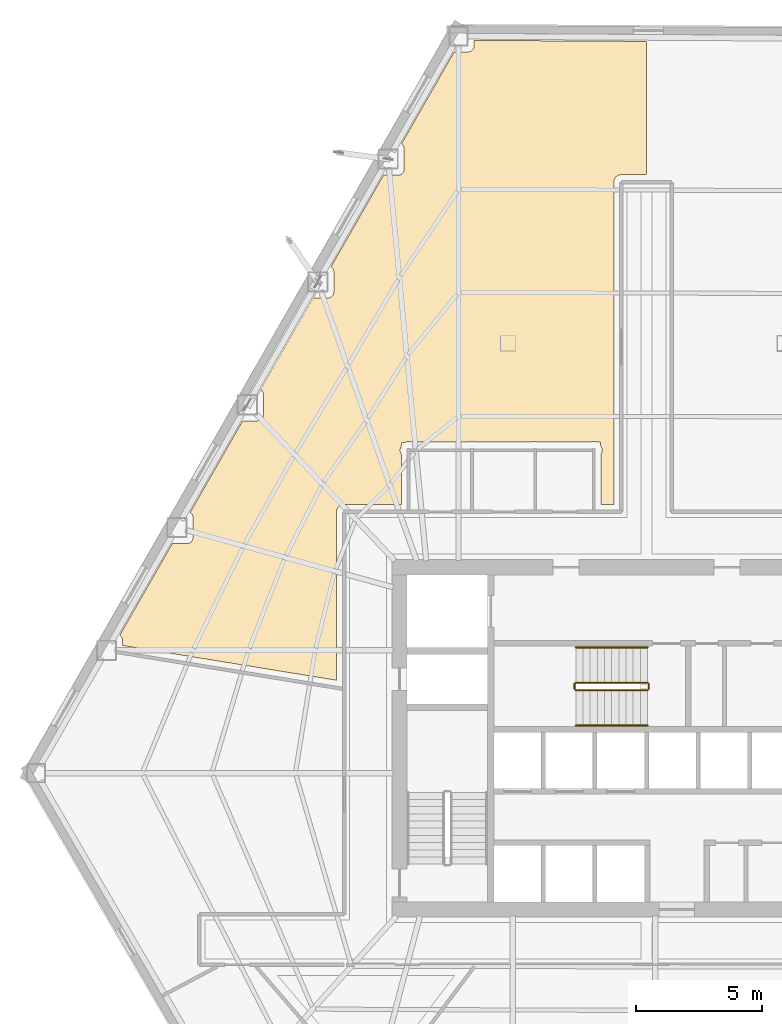
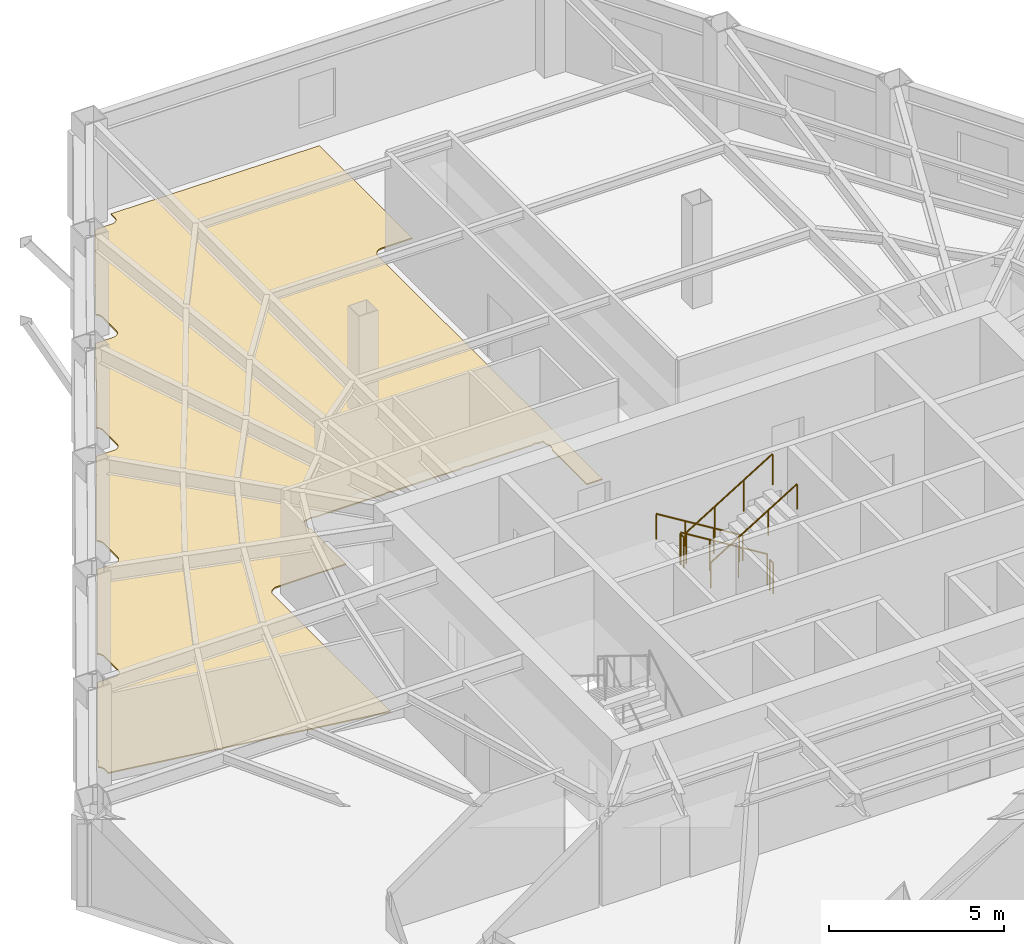
# One storey, part 11 of 12: 6 railings, 1 covering.
"""IFC4 building model written with IfcOpenShell, lengths in metres."""

from ifc_helpers import new_model, si_unit, direction, frame, origin, origin_2d, place, context, subcontext, project, spatial, polyline, circle, outline, extrude, material, layer, layer_set, type_object, element, save


model = new_model("IFC4")

# Units and contexts
model_context = context("Model", 3, precision=1e-05, world=origin(), true_north=direction((0.0, 1.0)))
body_context = subcontext(model_context, "Body", "Model", "MODEL_VIEW")
ifc_project = project(units=[si_unit("LENGTHUNIT", "METRE"), si_unit("AREAUNIT", "SQUARE_METRE"), si_unit("VOLUMEUNIT", "CUBIC_METRE"), si_unit("PLANEANGLEUNIT", "RADIAN"), si_unit("MASSUNIT", "GRAM", prefix="KILO")], contexts=[model_context])

# Site, building, storey
site_placement = place(None, origin())
site = spatial("IfcSite", under=ifc_project, at=site_placement, CompositionType="ELEMENT")
building_placement = place(site_placement, origin())
building = spatial("IfcBuilding", under=site, at=building_placement, Name="Kavelnor Concourse Tower", CompositionType="ELEMENT")
storey_placement = place(building_placement, frame((0.0, 0.0, 44.5)))
storey = spatial("IfcBuildingStorey", under=building, at=storey_placement, Name="L11", CompositionType="ELEMENT", Elevation=44.5)

# Covering
ifc_material_1 = material(Name="Honed bluestone and raised access floor finish", Category="masonry")
ifc_layer = layer(ifc_material_1, 0.0400390625, Name="Honed bluestone and raised access floor finish")
ifc_layer_set = layer_set([ifc_layer], Name="Honed bluestone and raised access floor finish")
covering_type = type_object("IfcCoveringType", Name="COV-FLOOR-STONE", PredefinedType="FLOORING", material=ifc_layer_set)
covering_placement = place(storey_placement, frame((0.0, 0.0, 0.001953125)))
element("IfcCovering", 1, at=covering_placement, inside=storey, type_object=covering_type, Name="L11 Honed Bluestone Floor Finish", PredefinedType="FLOORING", context=body_context, shape_type="SweptSolid", body=[
    extrude(outline(polyline([(19.75390625, 23.8388671875), (19.777099609375, 23.84228515625), (19.7998046875, 23.847900390625), (19.822021484375, 23.85595703125), (19.843505859375, 23.865966796875), (19.86376953125, 23.878173828125), (19.882568359375, 23.89208984375), (19.900146484375, 23.907958984375), (19.916015625, 23.925537109375), (19.929931640625, 23.9443359375), (19.942138671875, 23.964599609375), (19.9521484375, 23.986083984375), (19.960205078125, 24.00830078125), (19.9658203125, 24.031005859375), (19.96923828125, 24.05419921875), (19.97021484375, 24.072509765625), (19.97021484375, 24.88330078125), (19.96923828125, 24.901611328125), (19.9658203125, 24.9248046875), (19.960205078125, 24.947509765625), (19.9521484375, 24.9697265625), (19.942138671875, 24.9912109375), (19.929931640625, 25.011474609375), (19.916015625, 25.0302734375), (19.900146484375, 25.0478515625), (19.882568359375, 25.063720703125), (19.86376953125, 25.07763671875), (19.85986328125, 25.079833984375), (21.947021484375, 28.719970703125), (22.534912109375, 28.719970703125), (22.552978515625, 28.720947265625), (22.576416015625, 28.724365234375), (22.59912109375, 28.72998046875), (22.621337890625, 28.738037109375), (22.642578125, 28.748046875), (22.662841796875, 28.76025390625), (22.681884765625, 28.7744140625), (22.69921875, 28.7900390625), (22.715087890625, 28.8076171875), (22.729248046875, 28.826416015625), (22.7412109375, 28.8466796875), (22.75146484375, 28.8681640625), (22.75927734375, 28.890380859375), (22.764892578125, 28.9130859375), (22.7685546875, 28.936279296875), (22.769287109375, 28.95458984375), (22.769287109375, 29.765380859375), (22.7685546875, 29.78369140625), (22.764892578125, 29.806884765625), (22.75927734375, 29.82958984375), (22.75146484375, 29.851806640625), (22.7412109375, 29.873291015625), (22.729248046875, 29.8935546875), (22.715087890625, 29.912353515625), (22.69921875, 29.929931640625), (22.681884765625, 29.94580078125), (22.662841796875, 29.959716796875), (22.658935546875, 29.962158203125), (24.74609375, 33.60205078125), (25.333984375, 33.60205078125), (25.35205078125, 33.60302734375), (25.37548828125, 33.6064453125), (25.398193359375, 33.6123046875), (25.42041015625, 33.6201171875), (25.44189453125, 33.630126953125), (25.4619140625, 33.642333984375), (25.48095703125, 33.656494140625), (25.498291015625, 33.672119140625), (25.51416015625, 33.689697265625), (25.5283203125, 33.70849609375), (25.540283203125, 33.728759765625), (25.550537109375, 33.750244140625), (25.558349609375, 33.7724609375), (25.564208984375, 33.795166015625), (25.567626953125, 33.818603515625), (25.568603515625, 33.836669921875), (25.568603515625, 34.6474609375), (25.567626953125, 34.665771484375), (25.564208984375, 34.68896484375), (25.558349609375, 34.7119140625), (25.550537109375, 34.73388671875), (25.540283203125, 34.75537109375), (25.5283203125, 34.775634765625), (25.51416015625, 34.79443359375), (25.498291015625, 34.81201171875), (25.48095703125, 34.827880859375), (25.4619140625, 34.841796875), (25.4580078125, 34.84423828125), (27.545166015625, 38.484130859375), (28.133056640625, 38.484130859375), (28.151123046875, 38.485107421875), (28.174560546875, 38.488525390625), (28.197265625, 38.494384765625), (28.219482421875, 38.502197265625), (28.240966796875, 38.51220703125), (28.260986328125, 38.5244140625), (28.280029296875, 38.53857421875), (28.297607421875, 38.55419921875), (28.313232421875, 38.57177734375), (28.327392578125, 38.5908203125), (28.339599609375, 38.61083984375), (28.349609375, 38.63232421875), (28.357421875, 38.654541015625), (28.36328125, 38.67724609375), (28.36669921875, 38.70068359375), (28.36767578125, 38.71875), (28.36767578125, 39.529541015625), (28.36669921875, 39.5478515625), (28.36328125, 39.571044921875), (28.357421875, 39.593994140625), (28.349609375, 39.6162109375), (28.339599609375, 39.637451171875), (28.327392578125, 39.65771484375), (28.313232421875, 39.676513671875), (28.297607421875, 39.694091796875), (28.280029296875, 39.7099609375), (28.260986328125, 39.72412109375), (28.257080078125, 39.726318359375), (30.355712890625, 43.38623046875), (30.912109375, 43.38623046875), (30.930419921875, 43.38720703125), (30.95361328125, 43.390625), (30.976318359375, 43.396484375), (30.99853515625, 43.404296875), (31.02001953125, 43.414306640625), (31.040283203125, 43.426513671875), (31.05908203125, 43.440673828125), (31.07666015625, 43.456298828125), (31.09228515625, 43.473876953125), (31.1064453125, 43.492919921875), (31.11865234375, 43.512939453125), (31.128662109375, 43.534423828125), (31.13671875, 43.556640625), (31.142333984375, 43.579345703125), (31.145751953125, 43.602783203125), (31.146728515625, 43.620849609375), (31.146728515625, 43.842529296875), (37.9951171875, 43.801513671875), (37.9951171875, 38.50244140625), (36.99462890625, 38.50244140625), (36.97021484375, 38.501220703125), (36.94091796875, 38.496826171875), (36.912109375, 38.48974609375), (36.884033203125, 38.479736328125), (36.857421875, 38.467041015625), (36.831787109375, 38.45166015625), (36.807861328125, 38.43408203125), (36.785888671875, 38.4140625), (36.76611328125, 38.39208984375), (36.748291015625, 38.3681640625), (36.73291015625, 38.3427734375), (36.72021484375, 38.31591796875), (36.710205078125, 38.287841796875), (36.703125, 38.259033203125), (36.69873046875, 38.229736328125), (36.697509765625, 38.205322265625), (36.697509765625, 25.402587890625), (36.18505859375, 25.402587890625), (36.18505859375, 27.388671875), (36.187255859375, 27.3916015625), (36.20166015625, 27.41552734375), (36.213623046875, 27.44091796875), (36.222900390625, 27.46728515625), (36.229736328125, 27.494384765625), (36.23388671875, 27.52197265625), (36.2353515625, 27.550048828125), (36.23388671875, 27.577880859375), (36.229736328125, 27.605712890625), (36.222900390625, 27.6328125), (36.213623046875, 27.6591796875), (36.20166015625, 27.6845703125), (36.187255859375, 27.70849609375), (36.1796875, 27.718505859375), (36.17919921875, 27.8701171875), (36.0166015625, 27.8701171875), (36.00927734375, 27.87353515625), (35.98291015625, 27.883056640625), (35.955810546875, 27.889892578125), (35.927978515625, 27.893798828125), (35.89990234375, 27.895263671875), (35.8720703125, 27.893798828125), (35.84423828125, 27.889892578125), (35.817138671875, 27.883056640625), (35.790771484375, 27.87353515625), (35.785888671875, 27.87109375), (33.696533203125, 27.8701171875), (33.689208984375, 27.87353515625), (33.662841796875, 27.883056640625), (33.6357421875, 27.889892578125), (33.60791015625, 27.893798828125), (33.580078125, 27.895263671875), (33.552001953125, 27.893798828125), (33.5244140625, 27.889892578125), (33.497314453125, 27.883056640625), (33.470703125, 27.87353515625), (33.4658203125, 27.87109375), (31.176513671875, 27.8701171875), (31.169189453125, 27.87353515625), (31.142822265625, 27.883056640625), (31.11572265625, 27.889892578125), (31.087890625, 27.893798828125), (31.06005859375, 27.895263671875), (31.031982421875, 27.893798828125), (31.00439453125, 27.889892578125), (30.977294921875, 27.883056640625), (30.95068359375, 27.87353515625), (30.94580078125, 27.87109375), (28.656494140625, 27.8701171875), (28.649169921875, 27.87353515625), (28.622802734375, 27.883056640625), (28.595703125, 27.889892578125), (28.568115234375, 27.893798828125), (28.5400390625, 27.895263671875), (28.511962890625, 27.893798828125), (28.484375, 27.889892578125), (28.457275390625, 27.883056640625), (28.430908203125, 27.87353515625), (28.40771484375, 27.862548828125), (28.260009765625, 27.843994140625), (28.260009765625, 27.71826171875), (28.252685546875, 27.70849609375), (28.23828125, 27.6845703125), (28.226318359375, 27.6591796875), (28.217041015625, 27.6328125), (28.210205078125, 27.605712890625), (28.2060546875, 27.577880859375), (28.20458984375, 27.550048828125), (28.2060546875, 27.52197265625), (28.210205078125, 27.494384765625), (28.217041015625, 27.46728515625), (28.226318359375, 27.44091796875), (28.23828125, 27.41552734375), (28.252685546875, 27.3916015625), (28.2548828125, 27.388671875), (28.2548828125, 25.402587890625), (25.974609375, 25.402587890625), (25.9501953125, 25.4013671875), (25.9208984375, 25.39697265625), (25.89208984375, 25.3896484375), (25.864013671875, 25.379638671875), (25.83740234375, 25.366943359375), (25.811767578125, 25.351806640625), (25.787841796875, 25.333984375), (25.765869140625, 25.314208984375), (25.74609375, 25.2919921875), (25.728271484375, 25.268310546875), (25.712890625, 25.24267578125), (25.7001953125, 25.2158203125), (25.690185546875, 25.18798828125), (25.68310546875, 25.1591796875), (25.6787109375, 25.129638671875), (25.677490234375, 25.10546875), (25.677490234375, 18.405517578125), (17.171142578125, 19.79052734375), (17.171142578125, 20.001220703125), (17.170166015625, 20.019287109375), (17.166748046875, 20.042724609375), (17.160888671875, 20.0654296875), (17.153076171875, 20.087646484375), (17.14306640625, 20.109130859375), (17.130859375, 20.12939453125), (17.11669921875, 20.148193359375), (17.10107421875, 20.165771484375), (17.08349609375, 20.181396484375), (17.064697265625, 20.195556640625), (17.060791015625, 20.19775390625), (19.147705078125, 23.837890625), (19.735595703125, 23.837890625), (19.75390625, 23.8388671875)])), origin(), (0.0, 0.0, 1.0), 0.0400390625),
])

# Railings
ifc_material_2 = material(Name="Steel Grade 350", Category="steel")
railing_type_1 = type_object("IfcRailingType", Name="RLG-GUARD-1100", PredefinedType="GUARDRAIL", material=ifc_material_2)
railing_1_placement = place(storey_placement, frame((38.0400390625, 18.31005859375, 0.175048828125)))
element("IfcRailing", 2, at=railing_1_placement, inside=storey, type_object=railing_type_1, Name="L11 ST3 stair guard 1", PredefinedType="GUARDRAIL", context=body_context, shape_type="SweptSolid", body=[
    extrude(circle(Radius=0.02392578125, at=origin_2d()), frame((0.0, 0.0, 1.076171875), z_axis=(-0.852179220489, 0.0, 0.52325001306), x_axis=(0.0, -1.0, 0.0)), (0.0, 0.0, 1.0), 3.344482421875),
    extrude(circle(Radius=0.02099609375, at=origin_2d()), origin(), (0.0, 0.0, 1.0), 1.052001953125),
    extrude(circle(Radius=0.02099609375, at=origin_2d()), frame((-0.949951171875, 0.0, 0.583251953125)), (0.0, 0.0, 1.0), 1.052001953125),
    extrude(circle(Radius=0.02099609375, at=origin_2d()), frame((-1.900146484375, 0.0, 1.166748046875)), (0.0, 0.0, 1.0), 1.052001953125),
    extrude(circle(Radius=0.02099609375, at=origin_2d()), frame((-2.85009765625, 0.0, 1.75)), (0.0, 0.0, 1.0), 1.052001953125),
])
railing_2_placement = place(storey_placement, frame((35.139892578125, 18.260009765625, 1.925048828125)))
element("IfcRailing", 3, at=railing_2_placement, inside=storey, type_object=railing_type_1, Name="L11 ST3 stair guard 2", PredefinedType="GUARDRAIL", context=body_context, shape_type="SweptSolid", body=[
    extrude(circle(Radius=0.02392578125, at=origin_2d()), frame((0.0, 0.0, 1.076171875), z_axis=(0.0, -1.0, 0.0), x_axis=(1.0, 0.0, 0.0)), (0.0, 0.0, 1.0), 0.199951171875),
    extrude(circle(Radius=0.02099609375, at=origin_2d()), origin(), (0.0, 0.0, 1.0), 1.052001953125),
    extrude(circle(Radius=0.02099609375, at=origin_2d()), frame((0.0, -0.199951171875, 0.0)), (0.0, 0.0, 1.0), 1.052001953125),
])
railing_3_placement = place(storey_placement, frame((35.18994140625, 18.010009765625, 2.10009765625)))
element("IfcRailing", 4, at=railing_3_placement, inside=storey, type_object=railing_type_1, Name="L11 ST3 stair guard 3", PredefinedType="GUARDRAIL", context=body_context, shape_type="SweptSolid", body=[
    extrude(circle(Radius=0.02392578125, at=origin_2d()), frame((0.0, 0.0, 1.076171875), z_axis=(0.852179220489, 0.0, 0.52325001306), x_axis=(0.0, 1.0, 0.0)), (0.0, 0.0, 1.0), 3.344482421875),
    extrude(circle(Radius=0.02099609375, at=origin_2d()), origin(), (0.0, 0.0, 1.0), 1.052001953125),
    extrude(circle(Radius=0.02099609375, at=origin_2d()), frame((0.949951171875, 0.0, 0.583251953125)), (0.0, 0.0, 1.0), 1.052001953125),
    extrude(circle(Radius=0.02099609375, at=origin_2d()), frame((1.900146484375, 0.0, 1.166748046875)), (0.0, 0.0, 1.0), 1.052001953125),
    extrude(circle(Radius=0.02099609375, at=origin_2d()), frame((2.85009765625, 0.0, 1.75)), (0.0, 0.0, 1.0), 1.052001953125),
])
railing_4_placement = place(storey_placement, frame((38.090087890625, 18.260009765625, 0.0)))
element("IfcRailing", 5, at=railing_4_placement, inside=storey, type_object=railing_type_1, Name="L11 ST3 stair guard 4", PredefinedType="GUARDRAIL", context=body_context, shape_type="SweptSolid", body=[
    extrude(circle(Radius=0.02392578125, at=origin_2d()), frame((0.0, 0.0, 1.076171875), z_axis=(0.0, -1.0, 0.0), x_axis=(1.0, 0.0, 0.0)), (0.0, 0.0, 1.0), 0.199951171875),
    extrude(circle(Radius=0.02099609375, at=origin_2d()), origin(), (0.0, 0.0, 1.0), 1.052001953125),
    extrude(circle(Radius=0.02099609375, at=origin_2d()), frame((0.0, -0.199951171875, 0.0)), (0.0, 0.0, 1.0), 1.052001953125),
])
railing_type_2 = type_object("IfcRailingType", Name="RLG-HANDRAIL-900", PredefinedType="HANDRAIL", material=ifc_material_2)
railing_5_placement = place(storey_placement, frame((38.0400390625, 19.7099609375, 0.175048828125)))
element("IfcRailing", 6, at=railing_5_placement, inside=storey, type_object=railing_type_2, Name="L11 ST3 stair handrail 1", PredefinedType="HANDRAIL", context=body_context, shape_type="SweptSolid", body=[
    extrude(circle(Radius=0.02392578125, at=origin_2d()), frame((0.0, 0.0, 0.8759765625), z_axis=(-0.852179220489, 0.0, 0.52325001306), x_axis=(0.0, -1.0, 0.0)), (0.0, 0.0, 1.0), 3.344482421875),
    extrude(circle(Radius=0.02099609375, at=origin_2d()), origin(), (0.0, 0.0, 1.0), 0.851806640625),
    extrude(circle(Radius=0.02099609375, at=origin_2d()), frame((-0.949951171875, 0.0, 0.583251953125)), (0.0, 0.0, 1.0), 0.851806640625),
    extrude(circle(Radius=0.02099609375, at=origin_2d()), frame((-1.900146484375, 0.0, 1.166748046875)), (0.0, 0.0, 1.0), 0.851806640625),
    extrude(circle(Radius=0.02099609375, at=origin_2d()), frame((-2.85009765625, 0.0, 1.75)), (0.0, 0.0, 1.0), 0.851806640625),
])
railing_6_placement = place(storey_placement, frame((35.18994140625, 16.610107421875, 2.10009765625)))
element("IfcRailing", 7, at=railing_6_placement, inside=storey, type_object=railing_type_2, Name="L11 ST3 stair handrail 2", PredefinedType="HANDRAIL", context=body_context, shape_type="SweptSolid", body=[
    extrude(circle(Radius=0.02392578125, at=origin_2d()), frame((0.0, 0.0, 0.8759765625), z_axis=(0.852179220489, 0.0, 0.52325001306), x_axis=(0.0, 1.0, 0.0)), (0.0, 0.0, 1.0), 3.344482421875),
    extrude(circle(Radius=0.02099609375, at=origin_2d()), origin(), (0.0, 0.0, 1.0), 0.851806640625),
    extrude(circle(Radius=0.02099609375, at=origin_2d()), frame((0.949951171875, 0.0, 0.583251953125)), (0.0, 0.0, 1.0), 0.851806640625),
    extrude(circle(Radius=0.02099609375, at=origin_2d()), frame((1.900146484375, 0.0, 1.166748046875)), (0.0, 0.0, 1.0), 0.851806640625),
    extrude(circle(Radius=0.02099609375, at=origin_2d()), frame((2.85009765625, 0.0, 1.75)), (0.0, 0.0, 1.0), 0.851806640625),
])

save(model, "model.ifc")
